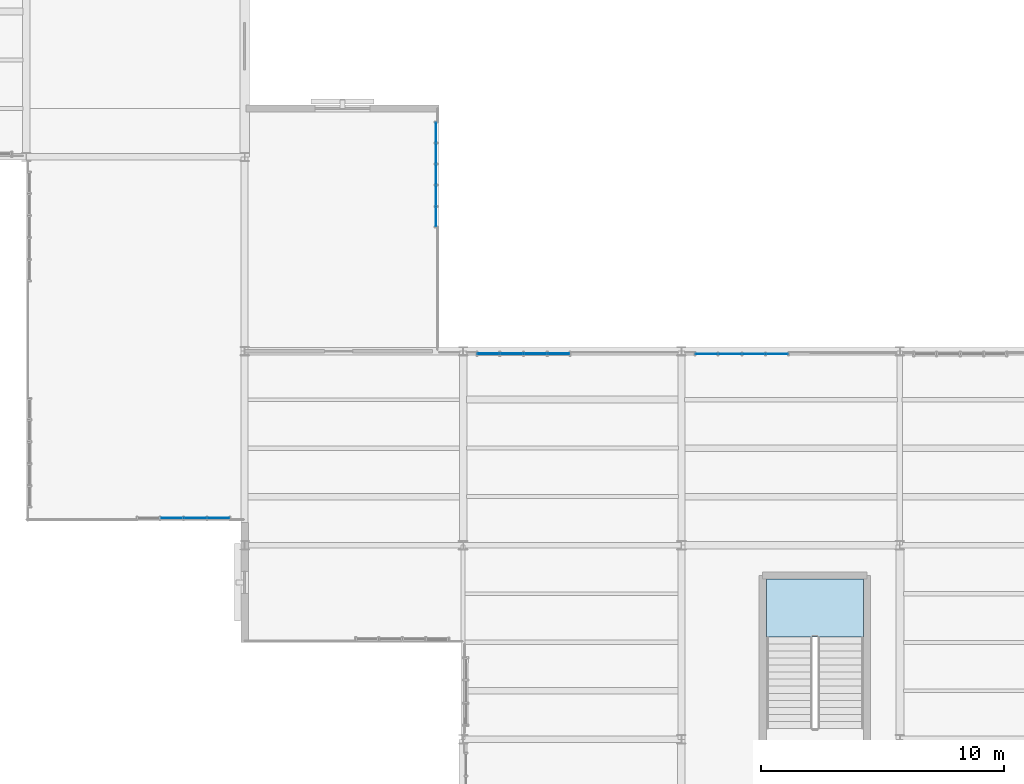
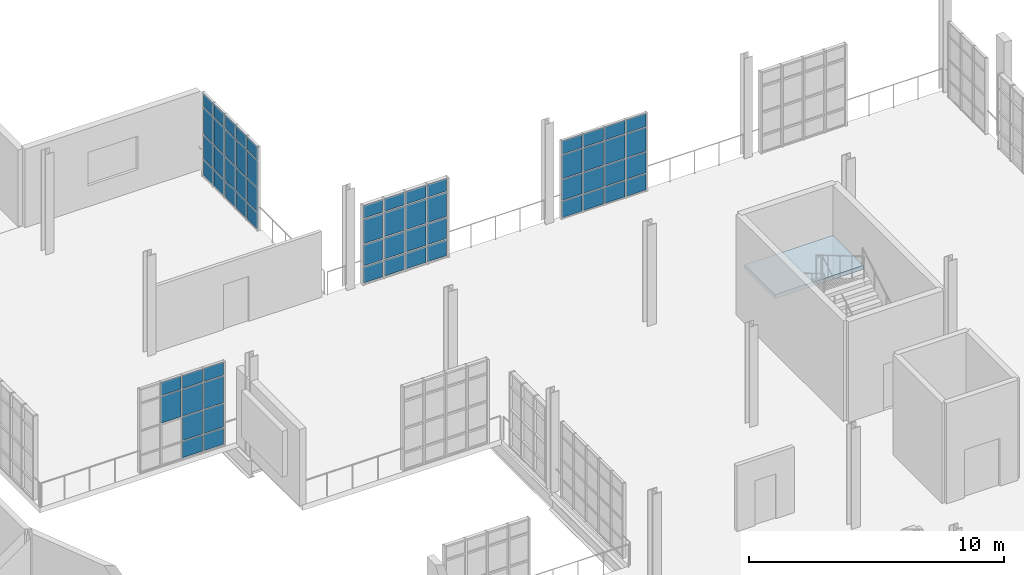
# One storey, part 86 of 122: 62 plates, 1 slab, 5 elements without a shape of their own.
"""IFC4 building model written with IfcOpenShell, lengths in metres."""

from ifc_helpers import new_model, si_unit, direction, frame, origin, origin_2d, place, context, subcontext, project, spatial, polyline, rectangle, outline, extrude, material, layer, layer_set, type_object, element, aggregate, save


model = new_model("IFC4")

# Units and contexts
model_context = context("Model", 3, precision=1e-05, world=origin(), true_north=direction((0.0, 1.0)))
body_context = subcontext(model_context, "Body", "Model", "MODEL_VIEW")
ifc_project = project(units=[si_unit("LENGTHUNIT", "METRE"), si_unit("AREAUNIT", "SQUARE_METRE"), si_unit("VOLUMEUNIT", "CUBIC_METRE"), si_unit("PLANEANGLEUNIT", "RADIAN"), si_unit("MASSUNIT", "GRAM", prefix="KILO"), si_unit("THERMODYNAMICTEMPERATUREUNIT", "KELVIN"), si_unit("POWERUNIT", "WATT")], contexts=[model_context])

# Site, building, storey
site_placement = place(None, origin())
site = spatial("IfcSite", under=ifc_project, at=site_placement, CompositionType="ELEMENT")
building_placement = place(site_placement, origin())
building = spatial("IfcBuilding", under=site, at=building_placement, Name="Zelmaris Science Centre", CompositionType="ELEMENT")
storey_placement = place(building_placement, frame((0.0, 0.0, 10.800048828125)))
storey = spatial("IfcBuildingStorey", under=building, at=storey_placement, Name="L02", CompositionType="ELEMENT", Elevation=10.800048828125)

# Curtain wall, plates
ifc_material_1 = material(Name="Anodised architectural aluminium 6063-T6", Category="aluminium")
ifc_layer_1 = layer(ifc_material_1, 0.199951171875, Name="Anodised architectural aluminium 6063-T6")
ifc_layer_set_1 = layer_set([ifc_layer_1], Name="Anodised architectural aluminium 6063-T6")
curtain_wall_type_1 = type_object("IfcCurtainWallType", Name="Curtain Wall CW-02", PredefinedType="USERDEFINED", material=ifc_layer_set_1)
curtain_wall_1_placement = place(storey_placement, origin())
curtain_wall_1 = element("IfcCurtainWall", 1, at=curtain_wall_1_placement, inside=storey, type_object=curtain_wall_type_1, Name="L02 Unitised curtain wall 218", ObjectType="GLAZED CURTAIN WALL", PredefinedType="USERDEFINED")
ifc_material_2 = material(Name="Laminated hurricane-rated low-E insulated glazing", Category="glass")
ifc_layer_2 = layer(ifc_material_2, 0.028076171875, Name="Laminated hurricane-rated low-E insulated glazing")
ifc_layer_set_2 = layer_set([ifc_layer_2], Name="Laminated hurricane-rated low-E insulated glazing")
plate_type_1 = type_object("IfcPlateType", Name="Curtain Glazing Panel CWP-2 28mm", PredefinedType="CURTAIN_PANEL", material=ifc_layer_set_2)
plate_1_placement = place(storey_placement, frame((118.044189453125, 55.892578125, 0.052001953125), z_axis=(0.0, 0.0, 1.0), x_axis=(0.999999881328, -0.000487179425, 0.0)))
plate_1 = element("IfcPlate", 2, at=plate_1_placement, type_object=plate_type_1, Name="CW-02 panel 1.1", PredefinedType="CURTAIN_PANEL", context=body_context, shape_type="SweptSolid", body=[
    extrude(rectangle(XDim=0.87451171875, YDim=0.028076171875, at=origin_2d()), origin(), (0.0, 0.0, 1.0), 0.74951171875),
])
plate_2_placement = place(storey_placement, frame((118.044189453125, 55.892578125, 0.868408203125), z_axis=(0.0, 0.0, 1.0), x_axis=(0.999999881328, -0.000487179425, 0.0)))
plate_2 = element("IfcPlate", 3, at=plate_2_placement, type_object=plate_type_1, Name="CW-02 panel 1.2", PredefinedType="CURTAIN_PANEL", context=body_context, shape_type="SweptSolid", body=[
    extrude(rectangle(XDim=0.87451171875, YDim=0.028076171875, at=origin_2d()), origin(), (0.0, 0.0, 1.0), 0.99658203125),
])
plate_3_placement = place(storey_placement, frame((118.044189453125, 55.892578125, 1.931884765625), z_axis=(0.0, 0.0, 1.0), x_axis=(0.999999881328, -0.000487179425, 0.0)))
plate_3 = element("IfcPlate", 4, at=plate_3_placement, type_object=plate_type_1, Name="CW-02 panel 1.3", PredefinedType="CURTAIN_PANEL", context=body_context, shape_type="SweptSolid", body=[
    extrude(rectangle(XDim=0.87451171875, YDim=0.028076171875, at=origin_2d()), origin(), (0.0, 0.0, 1.0), 1.146484375),
])
plate_4_placement = place(storey_placement, frame((118.044189453125, 55.892578125, 3.1455078125), z_axis=(0.0, 0.0, 1.0), x_axis=(0.999999881328, -0.000487179425, 0.0)))
plate_4 = element("IfcPlate", 5, at=plate_4_placement, type_object=plate_type_1, Name="CW-02 panel 1.4", PredefinedType="CURTAIN_PANEL", context=body_context, shape_type="SweptSolid", body=[
    extrude(rectangle(XDim=0.87451171875, YDim=0.028076171875, at=origin_2d()), origin(), (0.0, 0.0, 1.0), 0.599609375),
])
plate_5_placement = place(storey_placement, frame((119.00244140625, 55.89208984375, 0.052001953125), z_axis=(0.0, 0.0, 1.0), x_axis=(0.999999881328, -0.000487179425, 0.0)))
plate_5 = element("IfcPlate", 6, at=plate_5_placement, type_object=plate_type_1, Name="CW-02 panel 2.1", PredefinedType="CURTAIN_PANEL", context=body_context, shape_type="SweptSolid", body=[
    extrude(rectangle(XDim=0.907958984375, YDim=0.028076171875, at=origin_2d()), origin(), (0.0, 0.0, 1.0), 0.74951171875),
])
plate_6_placement = place(storey_placement, frame((119.00244140625, 55.89208984375, 0.868408203125), z_axis=(0.0, 0.0, 1.0), x_axis=(0.999999881328, -0.000487179425, 0.0)))
plate_6 = element("IfcPlate", 7, at=plate_6_placement, type_object=plate_type_1, Name="CW-02 panel 2.2", PredefinedType="CURTAIN_PANEL", context=body_context, shape_type="SweptSolid", body=[
    extrude(rectangle(XDim=0.907958984375, YDim=0.028076171875, at=origin_2d()), origin(), (0.0, 0.0, 1.0), 0.99658203125),
])
plate_7_placement = place(storey_placement, frame((119.00244140625, 55.89208984375, 1.931884765625), z_axis=(0.0, 0.0, 1.0), x_axis=(0.999999881328, -0.000487179425, 0.0)))
plate_7 = element("IfcPlate", 8, at=plate_7_placement, type_object=plate_type_1, Name="CW-02 panel 2.3", PredefinedType="CURTAIN_PANEL", context=body_context, shape_type="SweptSolid", body=[
    extrude(rectangle(XDim=0.907958984375, YDim=0.028076171875, at=origin_2d()), origin(), (0.0, 0.0, 1.0), 1.146484375),
])
plate_8_placement = place(storey_placement, frame((119.00244140625, 55.89208984375, 3.1455078125), z_axis=(0.0, 0.0, 1.0), x_axis=(0.999999881328, -0.000487179425, 0.0)))
plate_8 = element("IfcPlate", 9, at=plate_8_placement, type_object=plate_type_1, Name="CW-02 panel 2.4", PredefinedType="CURTAIN_PANEL", context=body_context, shape_type="SweptSolid", body=[
    extrude(rectangle(XDim=0.907958984375, YDim=0.028076171875, at=origin_2d()), origin(), (0.0, 0.0, 1.0), 0.599609375),
])
plate_9_placement = place(storey_placement, frame((119.977294921875, 55.8916015625, 0.052001953125), z_axis=(0.0, 0.0, 1.0), x_axis=(0.999999881328, -0.000487179425, 0.0)))
plate_9 = element("IfcPlate", 10, at=plate_9_placement, type_object=plate_type_1, Name="CW-02 panel 3.1", PredefinedType="CURTAIN_PANEL", context=body_context, shape_type="SweptSolid", body=[
    extrude(rectangle(XDim=0.907958984375, YDim=0.028076171875, at=origin_2d()), origin(), (0.0, 0.0, 1.0), 0.74951171875),
])
plate_10_placement = place(storey_placement, frame((119.977294921875, 55.8916015625, 0.868408203125), z_axis=(0.0, 0.0, 1.0), x_axis=(0.999999881328, -0.000487179425, 0.0)))
plate_10 = element("IfcPlate", 11, at=plate_10_placement, type_object=plate_type_1, Name="CW-02 panel 3.2", PredefinedType="CURTAIN_PANEL", context=body_context, shape_type="SweptSolid", body=[
    extrude(rectangle(XDim=0.907958984375, YDim=0.028076171875, at=origin_2d()), origin(), (0.0, 0.0, 1.0), 0.99658203125),
])
plate_11_placement = place(storey_placement, frame((119.977294921875, 55.8916015625, 1.931884765625), z_axis=(0.0, 0.0, 1.0), x_axis=(0.999999881328, -0.000487179425, 0.0)))
plate_11 = element("IfcPlate", 12, at=plate_11_placement, type_object=plate_type_1, Name="CW-02 panel 3.3", PredefinedType="CURTAIN_PANEL", context=body_context, shape_type="SweptSolid", body=[
    extrude(rectangle(XDim=0.907958984375, YDim=0.028076171875, at=origin_2d()), origin(), (0.0, 0.0, 1.0), 1.146484375),
])
plate_12_placement = place(storey_placement, frame((119.977294921875, 55.8916015625, 3.1455078125), z_axis=(0.0, 0.0, 1.0), x_axis=(0.999999881328, -0.000487179425, 0.0)))
plate_12 = element("IfcPlate", 13, at=plate_12_placement, type_object=plate_type_1, Name="CW-02 panel 3.4", PredefinedType="CURTAIN_PANEL", context=body_context, shape_type="SweptSolid", body=[
    extrude(rectangle(XDim=0.907958984375, YDim=0.028076171875, at=origin_2d()), origin(), (0.0, 0.0, 1.0), 0.599609375),
])
plate_13_placement = place(storey_placement, frame((120.935546875, 55.891357421875, 0.052001953125), z_axis=(0.0, 0.0, 1.0), x_axis=(0.999999881328, -0.000487179425, 0.0)))
plate_13 = element("IfcPlate", 14, at=plate_13_placement, type_object=plate_type_1, Name="CW-02 panel 4.1", PredefinedType="CURTAIN_PANEL", context=body_context, shape_type="SweptSolid", body=[
    extrude(rectangle(XDim=0.87451171875, YDim=0.028076171875, at=origin_2d()), origin(), (0.0, 0.0, 1.0), 0.74951171875),
])
plate_14_placement = place(storey_placement, frame((120.935546875, 55.891357421875, 0.868408203125), z_axis=(0.0, 0.0, 1.0), x_axis=(0.999999881328, -0.000487179425, 0.0)))
plate_14 = element("IfcPlate", 15, at=plate_14_placement, type_object=plate_type_1, Name="CW-02 panel 4.2", PredefinedType="CURTAIN_PANEL", context=body_context, shape_type="SweptSolid", body=[
    extrude(rectangle(XDim=0.87451171875, YDim=0.028076171875, at=origin_2d()), origin(), (0.0, 0.0, 1.0), 0.99658203125),
])
plate_15_placement = place(storey_placement, frame((120.935546875, 55.891357421875, 1.931884765625), z_axis=(0.0, 0.0, 1.0), x_axis=(0.999999881328, -0.000487179425, 0.0)))
plate_15 = element("IfcPlate", 16, at=plate_15_placement, type_object=plate_type_1, Name="CW-02 panel 4.3", PredefinedType="CURTAIN_PANEL", context=body_context, shape_type="SweptSolid", body=[
    extrude(rectangle(XDim=0.87451171875, YDim=0.028076171875, at=origin_2d()), origin(), (0.0, 0.0, 1.0), 1.146484375),
])
plate_16_placement = place(storey_placement, frame((120.935546875, 55.891357421875, 3.1455078125), z_axis=(0.0, 0.0, 1.0), x_axis=(0.999999881328, -0.000487179425, 0.0)))
plate_16 = element("IfcPlate", 17, at=plate_16_placement, type_object=plate_type_1, Name="CW-02 panel 4.4", PredefinedType="CURTAIN_PANEL", context=body_context, shape_type="SweptSolid", body=[
    extrude(rectangle(XDim=0.87451171875, YDim=0.028076171875, at=origin_2d()), origin(), (0.0, 0.0, 1.0), 0.599609375),
])
aggregate(curtain_wall_1, [plate_1, plate_2, plate_3, plate_4, plate_5, plate_6, plate_7, plate_8, plate_9, plate_10, plate_11, plate_12, plate_13, plate_14, plate_15, plate_16])

ifc_layer_3 = layer(ifc_material_1, 0.219970703125, Name="Anodised architectural aluminium 6063-T6")
ifc_layer_set_3 = layer_set([ifc_layer_3], Name="Anodised architectural aluminium 6063-T6")
curtain_wall_type_2 = type_object("IfcCurtainWallType", Name="Curtain Wall CW-04", PredefinedType="USERDEFINED", material=ifc_layer_set_3)
curtain_wall_2_placement = place(storey_placement, origin())
curtain_wall_2 = element("IfcCurtainWall", 18, at=curtain_wall_2_placement, inside=storey, type_object=curtain_wall_type_2, Name="L02 Unitised curtain wall 216", ObjectType="GLAZED CURTAIN WALL", PredefinedType="USERDEFINED")
ifc_layer_4 = layer(ifc_material_2, 0.02392578125, Name="Laminated hurricane-rated low-E insulated glazing")
ifc_layer_set_4 = layer_set([ifc_layer_4], Name="Laminated hurricane-rated low-E insulated glazing")
plate_type_2 = type_object("IfcPlateType", Name="Curtain Glazing Panel CWP-4 24mm", PredefinedType="CURTAIN_PANEL", material=ifc_layer_set_4)
plate_17_placement = place(storey_placement, frame((115.8798828125, 65.010009765625, 0.036865234375), z_axis=(0.0, 0.0, 1.0), x_axis=(2.2883815e-05, -0.999999999738, 0.0)))
plate_17 = element("IfcPlate", 19, at=plate_17_placement, type_object=plate_type_2, Name="CW-04 panel 1.1", PredefinedType="CURTAIN_PANEL", context=body_context, shape_type="SweptSolid", body=[
    extrude(rectangle(XDim=0.7958984375, YDim=0.02392578125, at=origin_2d()), origin(), (0.0, 0.0, 1.0), 0.77197265625),
])
plate_18_placement = place(storey_placement, frame((115.8798828125, 65.010009765625, 0.86083984375), z_axis=(0.0, 0.0, 1.0), x_axis=(2.2883815e-05, -0.999999999738, 0.0)))
plate_18 = element("IfcPlate", 20, at=plate_18_placement, type_object=plate_type_2, Name="CW-04 panel 1.2", PredefinedType="CURTAIN_PANEL", context=body_context, shape_type="SweptSolid", body=[
    extrude(rectangle(XDim=0.7958984375, YDim=0.02392578125, at=origin_2d()), origin(), (0.0, 0.0, 1.0), 1.115478515625),
])
plate_19_placement = place(storey_placement, frame((115.8798828125, 65.010009765625, 2.0283203125), z_axis=(0.0, 0.0, 1.0), x_axis=(2.2883815e-05, -0.999999999738, 0.0)))
plate_19 = element("IfcPlate", 21, at=plate_19_placement, type_object=plate_type_2, Name="CW-04 panel 1.3", PredefinedType="CURTAIN_PANEL", context=body_context, shape_type="SweptSolid", body=[
    extrude(rectangle(XDim=0.7958984375, YDim=0.02392578125, at=origin_2d()), origin(), (0.0, 0.0, 1.0), 1.265380859375),
])
plate_20_placement = place(storey_placement, frame((115.8798828125, 65.010009765625, 3.345947265625), z_axis=(0.0, 0.0, 1.0), x_axis=(2.2883815e-05, -0.999999999738, 0.0)))
plate_20 = element("IfcPlate", 22, at=plate_20_placement, type_object=plate_type_2, Name="CW-04 panel 1.4", PredefinedType="CURTAIN_PANEL", context=body_context, shape_type="SweptSolid", body=[
    extrude(rectangle(XDim=0.7958984375, YDim=0.02392578125, at=origin_2d()), origin(), (0.0, 0.0, 1.0), 0.6220703125),
])
plate_21_placement = place(storey_placement, frame((115.8798828125, 64.14892578125, 0.036865234375), z_axis=(0.0, 0.0, 1.0), x_axis=(2.2883815e-05, -0.999999999738, 0.0)))
plate_21 = element("IfcPlate", 23, at=plate_21_placement, type_object=plate_type_2, Name="CW-04 panel 2.1", PredefinedType="CURTAIN_PANEL", context=body_context, shape_type="SweptSolid", body=[
    extrude(rectangle(XDim=0.822021484375, YDim=0.02392578125, at=origin_2d()), origin(), (0.0, 0.0, 1.0), 0.77197265625),
])
plate_22_placement = place(storey_placement, frame((115.8798828125, 64.14892578125, 0.86083984375), z_axis=(0.0, 0.0, 1.0), x_axis=(2.2883815e-05, -0.999999999738, 0.0)))
plate_22 = element("IfcPlate", 24, at=plate_22_placement, type_object=plate_type_2, Name="CW-04 panel 2.2", PredefinedType="CURTAIN_PANEL", context=body_context, shape_type="SweptSolid", body=[
    extrude(rectangle(XDim=0.822021484375, YDim=0.02392578125, at=origin_2d()), origin(), (0.0, 0.0, 1.0), 1.115478515625),
])
plate_23_placement = place(storey_placement, frame((115.8798828125, 64.14892578125, 2.0283203125), z_axis=(0.0, 0.0, 1.0), x_axis=(2.2883815e-05, -0.999999999738, 0.0)))
plate_23 = element("IfcPlate", 25, at=plate_23_placement, type_object=plate_type_2, Name="CW-04 panel 2.3", PredefinedType="CURTAIN_PANEL", context=body_context, shape_type="SweptSolid", body=[
    extrude(rectangle(XDim=0.822021484375, YDim=0.02392578125, at=origin_2d()), origin(), (0.0, 0.0, 1.0), 1.265380859375),
])
plate_24_placement = place(storey_placement, frame((115.8798828125, 64.14892578125, 3.345947265625), z_axis=(0.0, 0.0, 1.0), x_axis=(2.2883815e-05, -0.999999999738, 0.0)))
plate_24 = element("IfcPlate", 26, at=plate_24_placement, type_object=plate_type_2, Name="CW-04 panel 2.4", PredefinedType="CURTAIN_PANEL", context=body_context, shape_type="SweptSolid", body=[
    extrude(rectangle(XDim=0.822021484375, YDim=0.02392578125, at=origin_2d()), origin(), (0.0, 0.0, 1.0), 0.6220703125),
])
plate_25_placement = place(storey_placement, frame((115.8798828125, 63.27490234375, 0.036865234375), z_axis=(0.0, 0.0, 1.0), x_axis=(2.2883815e-05, -0.999999999738, 0.0)))
plate_25 = element("IfcPlate", 27, at=plate_25_placement, type_object=plate_type_2, Name="CW-04 panel 3.1", PredefinedType="CURTAIN_PANEL", context=body_context, shape_type="SweptSolid", body=[
    extrude(rectangle(XDim=0.822021484375, YDim=0.02392578125, at=origin_2d()), origin(), (0.0, 0.0, 1.0), 0.77197265625),
])
plate_26_placement = place(storey_placement, frame((115.8798828125, 63.27490234375, 0.86083984375), z_axis=(0.0, 0.0, 1.0), x_axis=(2.2883815e-05, -0.999999999738, 0.0)))
plate_26 = element("IfcPlate", 28, at=plate_26_placement, type_object=plate_type_2, Name="CW-04 panel 3.2", PredefinedType="CURTAIN_PANEL", context=body_context, shape_type="SweptSolid", body=[
    extrude(rectangle(XDim=0.822021484375, YDim=0.02392578125, at=origin_2d()), origin(), (0.0, 0.0, 1.0), 1.115478515625),
])
plate_27_placement = place(storey_placement, frame((115.8798828125, 63.27490234375, 2.0283203125), z_axis=(0.0, 0.0, 1.0), x_axis=(2.2883815e-05, -0.999999999738, 0.0)))
plate_27 = element("IfcPlate", 29, at=plate_27_placement, type_object=plate_type_2, Name="CW-04 panel 3.3", PredefinedType="CURTAIN_PANEL", context=body_context, shape_type="SweptSolid", body=[
    extrude(rectangle(XDim=0.822021484375, YDim=0.02392578125, at=origin_2d()), origin(), (0.0, 0.0, 1.0), 1.265380859375),
])
plate_28_placement = place(storey_placement, frame((115.8798828125, 63.27490234375, 3.345947265625), z_axis=(0.0, 0.0, 1.0), x_axis=(2.2883815e-05, -0.999999999738, 0.0)))
plate_28 = element("IfcPlate", 30, at=plate_28_placement, type_object=plate_type_2, Name="CW-04 panel 3.4", PredefinedType="CURTAIN_PANEL", context=body_context, shape_type="SweptSolid", body=[
    extrude(rectangle(XDim=0.822021484375, YDim=0.02392578125, at=origin_2d()), origin(), (0.0, 0.0, 1.0), 0.6220703125),
])
plate_29_placement = place(storey_placement, frame((115.8798828125, 62.40087890625, 0.036865234375), z_axis=(0.0, 0.0, 1.0), x_axis=(2.2883815e-05, -0.999999999738, 0.0)))
plate_29 = element("IfcPlate", 31, at=plate_29_placement, type_object=plate_type_2, Name="CW-04 panel 4.1", PredefinedType="CURTAIN_PANEL", context=body_context, shape_type="SweptSolid", body=[
    extrude(rectangle(XDim=0.822021484375, YDim=0.02392578125, at=origin_2d()), origin(), (0.0, 0.0, 1.0), 0.77197265625),
])
plate_30_placement = place(storey_placement, frame((115.8798828125, 62.40087890625, 0.86083984375), z_axis=(0.0, 0.0, 1.0), x_axis=(2.2883815e-05, -0.999999999738, 0.0)))
plate_30 = element("IfcPlate", 32, at=plate_30_placement, type_object=plate_type_2, Name="CW-04 panel 4.2", PredefinedType="CURTAIN_PANEL", context=body_context, shape_type="SweptSolid", body=[
    extrude(rectangle(XDim=0.822021484375, YDim=0.02392578125, at=origin_2d()), origin(), (0.0, 0.0, 1.0), 1.115478515625),
])
plate_31_placement = place(storey_placement, frame((115.8798828125, 62.40087890625, 2.0283203125), z_axis=(0.0, 0.0, 1.0), x_axis=(2.2883815e-05, -0.999999999738, 0.0)))
plate_31 = element("IfcPlate", 33, at=plate_31_placement, type_object=plate_type_2, Name="CW-04 panel 4.3", PredefinedType="CURTAIN_PANEL", context=body_context, shape_type="SweptSolid", body=[
    extrude(rectangle(XDim=0.822021484375, YDim=0.02392578125, at=origin_2d()), origin(), (0.0, 0.0, 1.0), 1.265380859375),
])
plate_32_placement = place(storey_placement, frame((115.8798828125, 62.40087890625, 3.345947265625), z_axis=(0.0, 0.0, 1.0), x_axis=(2.2883815e-05, -0.999999999738, 0.0)))
plate_32 = element("IfcPlate", 34, at=plate_32_placement, type_object=plate_type_2, Name="CW-04 panel 4.4", PredefinedType="CURTAIN_PANEL", context=body_context, shape_type="SweptSolid", body=[
    extrude(rectangle(XDim=0.822021484375, YDim=0.02392578125, at=origin_2d()), origin(), (0.0, 0.0, 1.0), 0.6220703125),
])
plate_33_placement = place(storey_placement, frame((115.8798828125, 61.5400390625, 0.036865234375), z_axis=(0.0, 0.0, 1.0), x_axis=(2.2883815e-05, -0.999999999738, 0.0)))
plate_33 = element("IfcPlate", 35, at=plate_33_placement, type_object=plate_type_2, Name="CW-04 panel 5.1", PredefinedType="CURTAIN_PANEL", context=body_context, shape_type="SweptSolid", body=[
    extrude(rectangle(XDim=0.7958984375, YDim=0.02392578125, at=origin_2d()), origin(), (0.0, 0.0, 1.0), 0.77197265625),
])
plate_34_placement = place(storey_placement, frame((115.8798828125, 61.5400390625, 0.86083984375), z_axis=(0.0, 0.0, 1.0), x_axis=(2.2883815e-05, -0.999999999738, 0.0)))
plate_34 = element("IfcPlate", 36, at=plate_34_placement, type_object=plate_type_2, Name="CW-04 panel 5.2", PredefinedType="CURTAIN_PANEL", context=body_context, shape_type="SweptSolid", body=[
    extrude(rectangle(XDim=0.7958984375, YDim=0.02392578125, at=origin_2d()), origin(), (0.0, 0.0, 1.0), 1.115478515625),
])
plate_35_placement = place(storey_placement, frame((115.8798828125, 61.5400390625, 2.0283203125), z_axis=(0.0, 0.0, 1.0), x_axis=(2.2883815e-05, -0.999999999738, 0.0)))
plate_35 = element("IfcPlate", 37, at=plate_35_placement, type_object=plate_type_2, Name="CW-04 panel 5.3", PredefinedType="CURTAIN_PANEL", context=body_context, shape_type="SweptSolid", body=[
    extrude(rectangle(XDim=0.7958984375, YDim=0.02392578125, at=origin_2d()), origin(), (0.0, 0.0, 1.0), 1.265380859375),
])
plate_36_placement = place(storey_placement, frame((115.8798828125, 61.5400390625, 3.345947265625), z_axis=(0.0, 0.0, 1.0), x_axis=(2.2883815e-05, -0.999999999738, 0.0)))
plate_36 = element("IfcPlate", 38, at=plate_36_placement, type_object=plate_type_2, Name="CW-04 panel 5.4", PredefinedType="CURTAIN_PANEL", context=body_context, shape_type="SweptSolid", body=[
    extrude(rectangle(XDim=0.7958984375, YDim=0.02392578125, at=origin_2d()), origin(), (0.0, 0.0, 1.0), 0.6220703125),
])
aggregate(curtain_wall_2, [plate_17, plate_18, plate_19, plate_20, plate_21, plate_22, plate_23, plate_24, plate_25, plate_26, plate_27, plate_28, plate_29, plate_30, plate_31, plate_32, plate_33, plate_34, plate_35, plate_36])

curtain_wall_3_placement = place(storey_placement, origin())
curtain_wall_3 = element("IfcCurtainWall", 39, at=curtain_wall_3_placement, inside=storey, type_object=curtain_wall_type_2, Name="L02 Unitised curtain wall 220", ObjectType="GLAZED CURTAIN WALL", PredefinedType="USERDEFINED")
plate_37_placement = place(storey_placement, frame((127.040283203125, 55.88818359375, 0.036865234375), z_axis=(0.0, 0.0, 1.0), x_axis=(0.999999881328, -0.000487179425, 0.0)))
plate_37 = element("IfcPlate", 40, at=plate_37_placement, type_object=plate_type_2, Name="CW-04 panel 1.1", PredefinedType="CURTAIN_PANEL", context=body_context, shape_type="SweptSolid", body=[
    extrude(rectangle(XDim=0.89697265625, YDim=0.02392578125, at=origin_2d()), origin(), (0.0, 0.0, 1.0), 0.77197265625),
])
plate_38_placement = place(storey_placement, frame((127.040283203125, 55.88818359375, 0.86083984375), z_axis=(0.0, 0.0, 1.0), x_axis=(0.999999881328, -0.000487179425, 0.0)))
plate_38 = element("IfcPlate", 41, at=plate_38_placement, type_object=plate_type_2, Name="CW-04 panel 1.2", PredefinedType="CURTAIN_PANEL", context=body_context, shape_type="SweptSolid", body=[
    extrude(rectangle(XDim=0.89697265625, YDim=0.02392578125, at=origin_2d()), origin(), (0.0, 0.0, 1.0), 0.9794921875),
])
plate_39_placement = place(storey_placement, frame((127.040283203125, 55.88818359375, 1.892578125), z_axis=(0.0, 0.0, 1.0), x_axis=(0.999999881328, -0.000487179425, 0.0)))
plate_39 = element("IfcPlate", 42, at=plate_39_placement, type_object=plate_type_2, Name="CW-04 panel 1.3", PredefinedType="CURTAIN_PANEL", context=body_context, shape_type="SweptSolid", body=[
    extrude(rectangle(XDim=0.89697265625, YDim=0.02392578125, at=origin_2d()), origin(), (0.0, 0.0, 1.0), 1.12939453125),
])
plate_40_placement = place(storey_placement, frame((127.040283203125, 55.88818359375, 3.073974609375), z_axis=(0.0, 0.0, 1.0), x_axis=(0.999999881328, -0.000487179425, 0.0)))
plate_40 = element("IfcPlate", 43, at=plate_40_placement, type_object=plate_type_2, Name="CW-04 panel 1.4", PredefinedType="CURTAIN_PANEL", context=body_context, shape_type="SweptSolid", body=[
    extrude(rectangle(XDim=0.89697265625, YDim=0.02392578125, at=origin_2d()), origin(), (0.0, 0.0, 1.0), 0.6220703125),
])
plate_41_placement = place(storey_placement, frame((128.00244140625, 55.8876953125, 0.036865234375), z_axis=(0.0, 0.0, 1.0), x_axis=(0.999999881328, -0.000487179425, 0.0)))
plate_41 = element("IfcPlate", 44, at=plate_41_placement, type_object=plate_type_2, Name="CW-04 panel 2.1", PredefinedType="CURTAIN_PANEL", context=body_context, shape_type="SweptSolid", body=[
    extrude(rectangle(XDim=0.923095703125, YDim=0.02392578125, at=origin_2d()), origin(), (0.0, 0.0, 1.0), 0.77197265625),
])
plate_42_placement = place(storey_placement, frame((128.00244140625, 55.8876953125, 0.86083984375), z_axis=(0.0, 0.0, 1.0), x_axis=(0.999999881328, -0.000487179425, 0.0)))
plate_42 = element("IfcPlate", 45, at=plate_42_placement, type_object=plate_type_2, Name="CW-04 panel 2.2", PredefinedType="CURTAIN_PANEL", context=body_context, shape_type="SweptSolid", body=[
    extrude(rectangle(XDim=0.923095703125, YDim=0.02392578125, at=origin_2d()), origin(), (0.0, 0.0, 1.0), 0.9794921875),
])
plate_43_placement = place(storey_placement, frame((128.00244140625, 55.8876953125, 1.892578125), z_axis=(0.0, 0.0, 1.0), x_axis=(0.999999881328, -0.000487179425, 0.0)))
plate_43 = element("IfcPlate", 46, at=plate_43_placement, type_object=plate_type_2, Name="CW-04 panel 2.3", PredefinedType="CURTAIN_PANEL", context=body_context, shape_type="SweptSolid", body=[
    extrude(rectangle(XDim=0.923095703125, YDim=0.02392578125, at=origin_2d()), origin(), (0.0, 0.0, 1.0), 1.12939453125),
])
plate_44_placement = place(storey_placement, frame((128.00244140625, 55.8876953125, 3.073974609375), z_axis=(0.0, 0.0, 1.0), x_axis=(0.999999881328, -0.000487179425, 0.0)))
plate_44 = element("IfcPlate", 47, at=plate_44_placement, type_object=plate_type_2, Name="CW-04 panel 2.4", PredefinedType="CURTAIN_PANEL", context=body_context, shape_type="SweptSolid", body=[
    extrude(rectangle(XDim=0.923095703125, YDim=0.02392578125, at=origin_2d()), origin(), (0.0, 0.0, 1.0), 0.6220703125),
])
plate_45_placement = place(storey_placement, frame((128.977294921875, 55.88720703125, 0.036865234375), z_axis=(0.0, 0.0, 1.0), x_axis=(0.999999881328, -0.000487179425, 0.0)))
plate_45 = element("IfcPlate", 48, at=plate_45_placement, type_object=plate_type_2, Name="CW-04 panel 3.1", PredefinedType="CURTAIN_PANEL", context=body_context, shape_type="SweptSolid", body=[
    extrude(rectangle(XDim=0.923095703125, YDim=0.02392578125, at=origin_2d()), origin(), (0.0, 0.0, 1.0), 0.77197265625),
])
plate_46_placement = place(storey_placement, frame((128.977294921875, 55.88720703125, 0.86083984375), z_axis=(0.0, 0.0, 1.0), x_axis=(0.999999881328, -0.000487179425, 0.0)))
plate_46 = element("IfcPlate", 49, at=plate_46_placement, type_object=plate_type_2, Name="CW-04 panel 3.2", PredefinedType="CURTAIN_PANEL", context=body_context, shape_type="SweptSolid", body=[
    extrude(rectangle(XDim=0.923095703125, YDim=0.02392578125, at=origin_2d()), origin(), (0.0, 0.0, 1.0), 0.9794921875),
])
plate_47_placement = place(storey_placement, frame((128.977294921875, 55.88720703125, 1.892578125), z_axis=(0.0, 0.0, 1.0), x_axis=(0.999999881328, -0.000487179425, 0.0)))
plate_47 = element("IfcPlate", 50, at=plate_47_placement, type_object=plate_type_2, Name="CW-04 panel 3.3", PredefinedType="CURTAIN_PANEL", context=body_context, shape_type="SweptSolid", body=[
    extrude(rectangle(XDim=0.923095703125, YDim=0.02392578125, at=origin_2d()), origin(), (0.0, 0.0, 1.0), 1.12939453125),
])
plate_48_placement = place(storey_placement, frame((128.977294921875, 55.88720703125, 3.073974609375), z_axis=(0.0, 0.0, 1.0), x_axis=(0.999999881328, -0.000487179425, 0.0)))
plate_48 = element("IfcPlate", 51, at=plate_48_placement, type_object=plate_type_2, Name="CW-04 panel 3.4", PredefinedType="CURTAIN_PANEL", context=body_context, shape_type="SweptSolid", body=[
    extrude(rectangle(XDim=0.923095703125, YDim=0.02392578125, at=origin_2d()), origin(), (0.0, 0.0, 1.0), 0.6220703125),
])
plate_49_placement = place(storey_placement, frame((129.939453125, 55.886962890625, 0.036865234375), z_axis=(0.0, 0.0, 1.0), x_axis=(0.999999881328, -0.000487179425, 0.0)))
plate_49 = element("IfcPlate", 52, at=plate_49_placement, type_object=plate_type_2, Name="CW-04 panel 4.1", PredefinedType="CURTAIN_PANEL", context=body_context, shape_type="SweptSolid", body=[
    extrude(rectangle(XDim=0.89697265625, YDim=0.02392578125, at=origin_2d()), origin(), (0.0, 0.0, 1.0), 0.77197265625),
])
plate_50_placement = place(storey_placement, frame((129.939453125, 55.886962890625, 0.86083984375), z_axis=(0.0, 0.0, 1.0), x_axis=(0.999999881328, -0.000487179425, 0.0)))
plate_50 = element("IfcPlate", 53, at=plate_50_placement, type_object=plate_type_2, Name="CW-04 panel 4.2", PredefinedType="CURTAIN_PANEL", context=body_context, shape_type="SweptSolid", body=[
    extrude(rectangle(XDim=0.89697265625, YDim=0.02392578125, at=origin_2d()), origin(), (0.0, 0.0, 1.0), 0.9794921875),
])
plate_51_placement = place(storey_placement, frame((129.939453125, 55.886962890625, 1.892578125), z_axis=(0.0, 0.0, 1.0), x_axis=(0.999999881328, -0.000487179425, 0.0)))
plate_51 = element("IfcPlate", 54, at=plate_51_placement, type_object=plate_type_2, Name="CW-04 panel 4.3", PredefinedType="CURTAIN_PANEL", context=body_context, shape_type="SweptSolid", body=[
    extrude(rectangle(XDim=0.89697265625, YDim=0.02392578125, at=origin_2d()), origin(), (0.0, 0.0, 1.0), 1.12939453125),
])
plate_52_placement = place(storey_placement, frame((129.939453125, 55.886962890625, 3.073974609375), z_axis=(0.0, 0.0, 1.0), x_axis=(0.999999881328, -0.000487179425, 0.0)))
plate_52 = element("IfcPlate", 55, at=plate_52_placement, type_object=plate_type_2, Name="CW-04 panel 4.4", PredefinedType="CURTAIN_PANEL", context=body_context, shape_type="SweptSolid", body=[
    extrude(rectangle(XDim=0.89697265625, YDim=0.02392578125, at=origin_2d()), origin(), (0.0, 0.0, 1.0), 0.6220703125),
])
aggregate(curtain_wall_3, [plate_37, plate_38, plate_39, plate_40, plate_41, plate_42, plate_43, plate_44, plate_45, plate_46, plate_47, plate_48, plate_49, plate_50, plate_51, plate_52])

curtain_wall_4_placement = place(storey_placement, origin())
curtain_wall_4 = element("IfcCurtainWall", 56, at=curtain_wall_4_placement, inside=storey, type_object=curtain_wall_type_2, Name="L02 Unitised curtain wall 268", ObjectType="GLAZED CURTAIN WALL", PredefinedType="USERDEFINED")
plate_53_placement = place(storey_placement, frame((106.919677734375, 49.11767578125, 0.036865234375), z_axis=(0.0, 0.0, 1.0), x_axis=(-0.999999959785, 0.00028360017, 0.0)))
plate_53 = element("IfcPlate", 57, at=plate_53_placement, type_object=plate_type_2, Name="CW-04 panel 1.1", PredefinedType="CURTAIN_PANEL", context=body_context, shape_type="SweptSolid", body=[
    extrude(rectangle(XDim=0.8916015625, YDim=0.02392578125, at=origin_2d()), origin(), (0.0, 0.0, 1.0), 0.77197265625),
])
plate_54_placement = place(storey_placement, frame((106.919677734375, 49.11767578125, 0.86083984375), z_axis=(0.0, 0.0, 1.0), x_axis=(-0.999999959785, 0.00028360017, 0.0)))
plate_54 = element("IfcPlate", 58, at=plate_54_placement, type_object=plate_type_2, Name="CW-04 panel 1.2", PredefinedType="CURTAIN_PANEL", context=body_context, shape_type="SweptSolid", body=[
    extrude(rectangle(XDim=0.8916015625, YDim=0.02392578125, at=origin_2d()), origin(), (0.0, 0.0, 1.0), 1.115478515625),
])
plate_55_placement = place(storey_placement, frame((106.919677734375, 49.11767578125, 2.0283203125), z_axis=(0.0, 0.0, 1.0), x_axis=(-0.999999959785, 0.00028360017, 0.0)))
plate_55 = element("IfcPlate", 59, at=plate_55_placement, type_object=plate_type_2, Name="CW-04 panel 1.3", PredefinedType="CURTAIN_PANEL", context=body_context, shape_type="SweptSolid", body=[
    extrude(rectangle(XDim=0.8916015625, YDim=0.02392578125, at=origin_2d()), origin(), (0.0, 0.0, 1.0), 1.265380859375),
])
plate_56_placement = place(storey_placement, frame((106.919677734375, 49.11767578125, 3.345947265625), z_axis=(0.0, 0.0, 1.0), x_axis=(-0.999999959785, 0.00028360017, 0.0)))
plate_56 = element("IfcPlate", 60, at=plate_56_placement, type_object=plate_type_2, Name="CW-04 panel 1.4", PredefinedType="CURTAIN_PANEL", context=body_context, shape_type="SweptSolid", body=[
    extrude(rectangle(XDim=0.8916015625, YDim=0.02392578125, at=origin_2d()), origin(), (0.0, 0.0, 1.0), 0.6220703125),
])
plate_57_placement = place(storey_placement, frame((105.962890625, 49.117919921875, 0.036865234375), z_axis=(0.0, 0.0, 1.0), x_axis=(-0.999999959785, 0.00028360017, 0.0)))
plate_57 = element("IfcPlate", 61, at=plate_57_placement, type_object=plate_type_2, Name="CW-04 panel 2.1", PredefinedType="CURTAIN_PANEL", context=body_context, shape_type="SweptSolid", body=[
    extrude(rectangle(XDim=0.917724609375, YDim=0.02392578125, at=origin_2d()), origin(), (0.0, 0.0, 1.0), 0.77197265625),
])
plate_58_placement = place(storey_placement, frame((105.962890625, 49.117919921875, 0.86083984375), z_axis=(0.0, 0.0, 1.0), x_axis=(-0.999999959785, 0.00028360017, 0.0)))
plate_58 = element("IfcPlate", 62, at=plate_58_placement, type_object=plate_type_2, Name="CW-04 panel 2.2", PredefinedType="CURTAIN_PANEL", context=body_context, shape_type="SweptSolid", body=[
    extrude(rectangle(XDim=0.917724609375, YDim=0.02392578125, at=origin_2d()), origin(), (0.0, 0.0, 1.0), 1.115478515625),
])
plate_59_placement = place(storey_placement, frame((105.962890625, 49.117919921875, 2.0283203125), z_axis=(0.0, 0.0, 1.0), x_axis=(-0.999999959785, 0.00028360017, 0.0)))
plate_59 = element("IfcPlate", 63, at=plate_59_placement, type_object=plate_type_2, Name="CW-04 panel 2.3", PredefinedType="CURTAIN_PANEL", context=body_context, shape_type="SweptSolid", body=[
    extrude(rectangle(XDim=0.917724609375, YDim=0.02392578125, at=origin_2d()), origin(), (0.0, 0.0, 1.0), 1.265380859375),
])
plate_60_placement = place(storey_placement, frame((105.962890625, 49.117919921875, 3.345947265625), z_axis=(0.0, 0.0, 1.0), x_axis=(-0.999999959785, 0.00028360017, 0.0)))
plate_60 = element("IfcPlate", 64, at=plate_60_placement, type_object=plate_type_2, Name="CW-04 panel 2.4", PredefinedType="CURTAIN_PANEL", context=body_context, shape_type="SweptSolid", body=[
    extrude(rectangle(XDim=0.917724609375, YDim=0.02392578125, at=origin_2d()), origin(), (0.0, 0.0, 1.0), 0.6220703125),
])
plate_61_placement = place(storey_placement, frame((104.9931640625, 49.118408203125, 2.0283203125), z_axis=(0.0, 0.0, 1.0), x_axis=(-0.999999959785, 0.00028360017, 0.0)))
plate_61 = element("IfcPlate", 65, at=plate_61_placement, type_object=plate_type_2, Name="CW-04 panel 3.3", PredefinedType="CURTAIN_PANEL", context=body_context, shape_type="SweptSolid", body=[
    extrude(rectangle(XDim=0.917724609375, YDim=0.02392578125, at=origin_2d()), origin(), (0.0, 0.0, 1.0), 1.265380859375),
])
plate_62_placement = place(storey_placement, frame((104.9931640625, 49.118408203125, 3.345947265625), z_axis=(0.0, 0.0, 1.0), x_axis=(-0.999999959785, 0.00028360017, 0.0)))
plate_62 = element("IfcPlate", 66, at=plate_62_placement, type_object=plate_type_2, Name="CW-04 panel 3.4", PredefinedType="CURTAIN_PANEL", context=body_context, shape_type="SweptSolid", body=[
    extrude(rectangle(XDim=0.917724609375, YDim=0.02392578125, at=origin_2d()), origin(), (0.0, 0.0, 1.0), 0.6220703125),
])
aggregate(curtain_wall_4, [plate_53, plate_54, plate_55, plate_56, plate_57, plate_58, plate_59, plate_60, plate_61, plate_62])

# Stair, slab
ifc_material_3 = material(Name="Concrete C40/50", Category="concrete")
stair_type = type_object("IfcStairType", Name="Exit Stair ST-B W1900", PredefinedType="HALF_TURN_STAIR", material=ifc_material_3)
stair_placement = place(storey_placement, origin())
stair = element("IfcStair", 67, at=stair_placement, inside=storey, type_object=stair_type, Name="L02 Exit Stair Core ST-5", PredefinedType="HALF_TURN_STAIR")
ifc_material_4 = material(Name="Concrete C35/45", Category="concrete")
ifc_layer_5 = layer(ifc_material_4, 0.18994140625, Name="Concrete C35/45")
ifc_layer_set_5 = layer_set([ifc_layer_5], Name="Concrete C35/45")
slab_type = type_object("IfcSlabType", Name="Slab SL-LD190 190mm", PredefinedType="LANDING", material=ifc_layer_set_5)
slab_placement = place(storey_placement, frame((0.0, 0.0, 2.2099609375)))
slab = element("IfcSlab", 68, at=slab_placement, type_object=slab_type, Name="ST-5 landing 1", PredefinedType="LANDING", context=body_context, shape_type="SweptSolid", body=[
    extrude(outline(polyline([(133.5, 44.219970703125), (133.5, 46.60009765625), (129.5, 46.60009765625), (129.5, 44.219970703125), (133.5, 44.219970703125)])), origin(), (0.0, 0.0, 1.0), 0.18994140625),
])
aggregate(stair, [slab])

save(model, "model.ifc")
